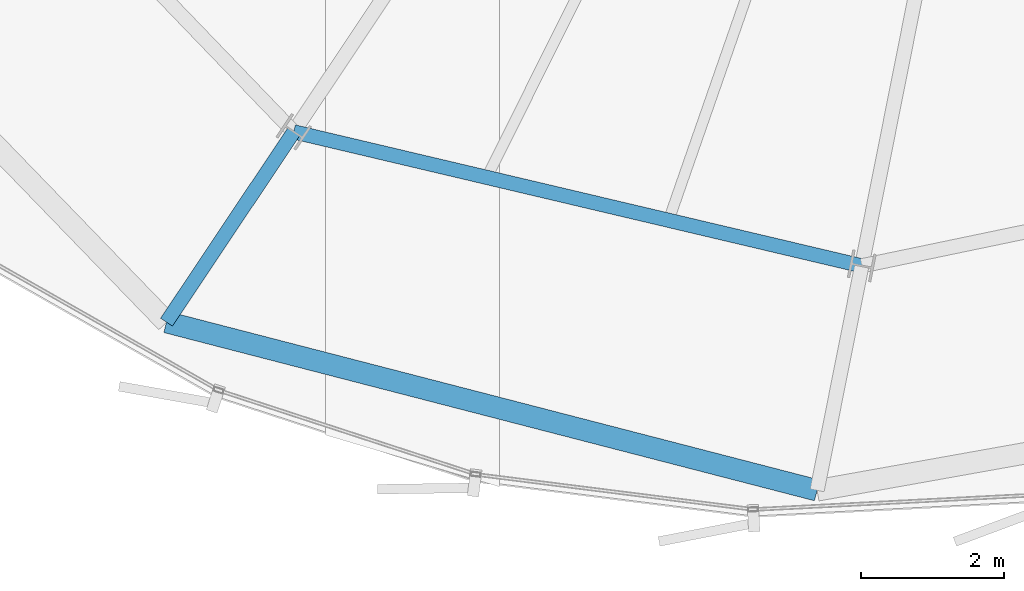
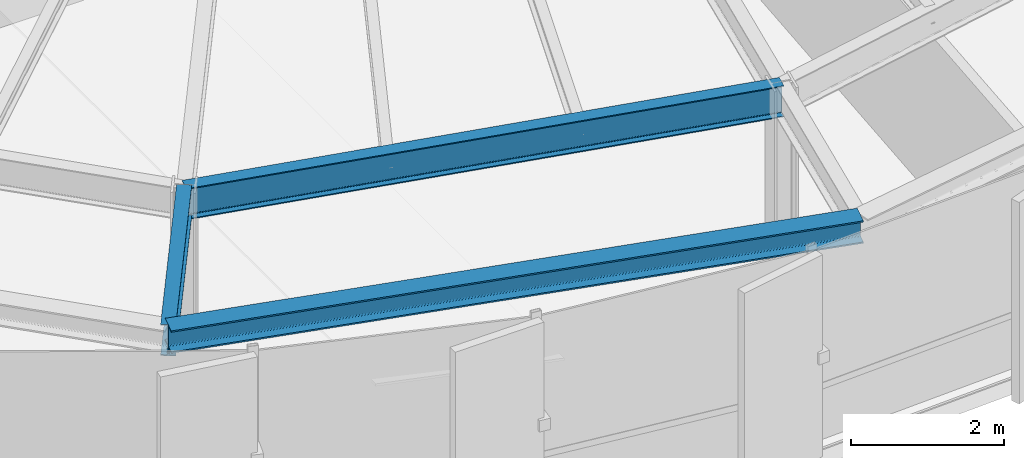
# One storey, part 3 of 35: 3 beams.
"""IFC4 building model written with IfcOpenShell, lengths in metres."""

from ifc_helpers import new_model, si_unit, direction, frame, origin, origin_2d, place, context, subcontext, project, spatial, i_section, extrude, source, transform, mapped, material, material_profile, profile_set, type_object, element, save


model = new_model("IFC4")

# Units and contexts
model_context = context("Model", 3, precision=1e-05, world=origin(), true_north=direction((0.0, 1.0)))
body_context = subcontext(model_context, "Body", "Model", "MODEL_VIEW")
ifc_project = project(units=[si_unit("LENGTHUNIT", "METRE"), si_unit("AREAUNIT", "SQUARE_METRE"), si_unit("VOLUMEUNIT", "CUBIC_METRE"), si_unit("PLANEANGLEUNIT", "RADIAN"), si_unit("MASSUNIT", "GRAM", prefix="KILO"), si_unit("THERMODYNAMICTEMPERATUREUNIT", "KELVIN")], contexts=[model_context])

# Site, building, storey
site_placement = place(None, origin())
site = spatial("IfcSite", under=ifc_project, at=site_placement, CompositionType="ELEMENT")
building_placement = place(site_placement, origin())
building = spatial("IfcBuilding", under=site, at=building_placement, Name="Kethvar Cultural Tower", CompositionType="ELEMENT")
storey_placement = place(building_placement, frame((0.0, 0.0, 204.39990234375)))
storey = spatial("IfcBuildingStorey", under=building, at=storey_placement, Name="L53", CompositionType="ELEMENT", Elevation=204.39990234375)

# Beams
ifc_material = material(Name="Steel S355J2", Category="steel")
ifc_material_profile_1 = material_profile(ifc_material, i_section(OverallWidth=0.199951171875, OverallDepth=0.5, WebThickness=0.01025390625, FlangeThickness=0.01611328125, FilletRadius=0.02099609375, at=origin_2d()), Name="Steel S355J2 — IPE500")
ifc_profile_set_1 = profile_set([ifc_material_profile_1], Name="Steel S355J2 — IPE500")
beam_type_1 = type_object("IfcBeamType", Name="BM-IPE500", PredefinedType="BEAM", material=ifc_profile_set_1)
shared_shape_1 = source(origin(), body_context, "Body", "SweptSolid", [
    extrude(i_section(OverallWidth=0.199951171875, OverallDepth=0.5, WebThickness=0.01025390625, FlangeThickness=0.01611328125, FilletRadius=0.02099609375, at=origin_2d()), origin(), (0.0, 0.0, 1.0), 3.199951171875),
])
beam_1_placement = place(storey_placement, frame((34.962646484375, 10.084228515625, 3.008056640625), z_axis=(-0.555580212716, -0.831462943996, 0.0), x_axis=(0.831462943996, -0.555580212716, 0.0)))
element("IfcBeam", 1, at=beam_1_placement, inside=storey, type_object=beam_type_1, Name="L53 Perimeter Cantilever Beam RC-11", PredefinedType="BEAM", context=body_context, shape_type="MappedRepresentation", body=[
    mapped(shared_shape_1, transform((0.0, 0.0, 0.0), scale=1.0)),
])
shared_shape_2 = source(origin(), body_context, "Body", "SweptSolid", [
    extrude(i_section(OverallWidth=0.199951171875, OverallDepth=0.5, WebThickness=0.01025390625, FlangeThickness=0.01611328125, FilletRadius=0.02099609375, at=origin_2d()), origin(), (0.0, 0.0, 1.0), 8.158935546875),
])
beam_2_placement = place(storey_placement, frame((34.962646484375, 10.084228515625, 3.008056640625), z_axis=(0.973284754953, -0.229601362748, 0.0), x_axis=(0.229601362748, 0.973284754953, 0.0)))
element("IfcBeam", 2, at=beam_2_placement, inside=storey, type_object=beam_type_1, Name="L53 Column Ring Tie Beam CR-11", PredefinedType="BEAM", context=body_context, shape_type="MappedRepresentation", body=[
    mapped(shared_shape_2, transform((0.0, 0.0, 0.0), scale=1.0)),
])
ifc_material_profile_2 = material_profile(ifc_material, i_section(OverallWidth=0.300048828125, OverallDepth=0.360107421875, WebThickness=0.012451171875, FlangeThickness=0.0224609375, FilletRadius=0.027099609375, at=origin_2d()), Name="Steel S355J2 — HEB360")
ifc_profile_set_2 = profile_set([ifc_material_profile_2], Name="Steel S355J2 — HEB360")
beam_type_2 = type_object("IfcBeamType", Name="BM-SP360", PredefinedType="SPANDREL", material=ifc_profile_set_2)
shared_shape_3 = source(origin(), body_context, "Body", "SweptSolid", [
    extrude(i_section(OverallWidth=0.300048828125, OverallDepth=0.360107421875, WebThickness=0.012451171875, FlangeThickness=0.0224609375, FilletRadius=0.027099609375, at=origin_2d()), origin(), (0.0, 0.0, 1.0), 9.3935546875),
])
beam_3_placement = place(storey_placement, frame((33.184814453125, 7.423583984375, 3.078125), z_axis=(0.968171347754, -0.250288316525, 0.0), x_axis=(0.250288316525, 0.968171347754, 0.0)))
element("IfcBeam", 3, at=beam_3_placement, inside=storey, type_object=beam_type_2, Name="L53 Perimeter Spandrel Beam SP-11", PredefinedType="SPANDREL", context=body_context, shape_type="MappedRepresentation", body=[
    mapped(shared_shape_3, transform((0.0, 0.0, 0.0), scale=1.0)),
])

save(model, "model.ifc")
